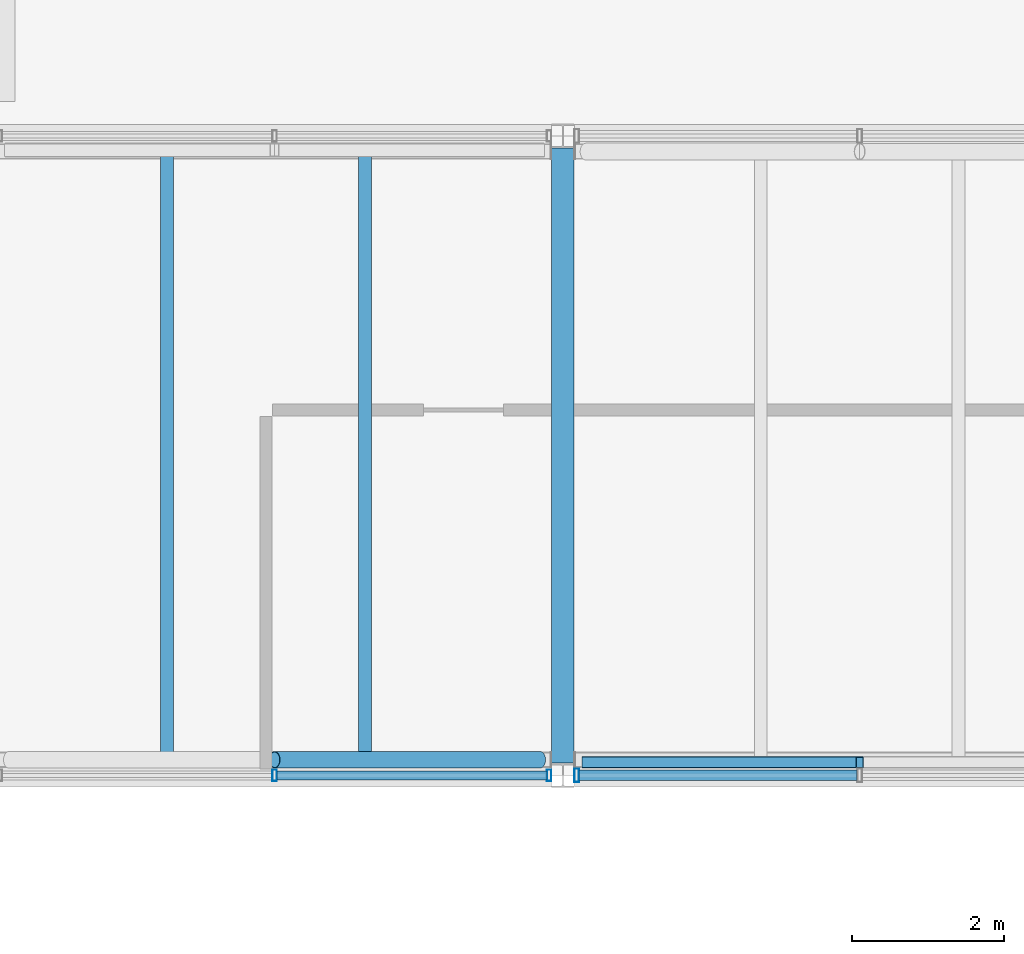
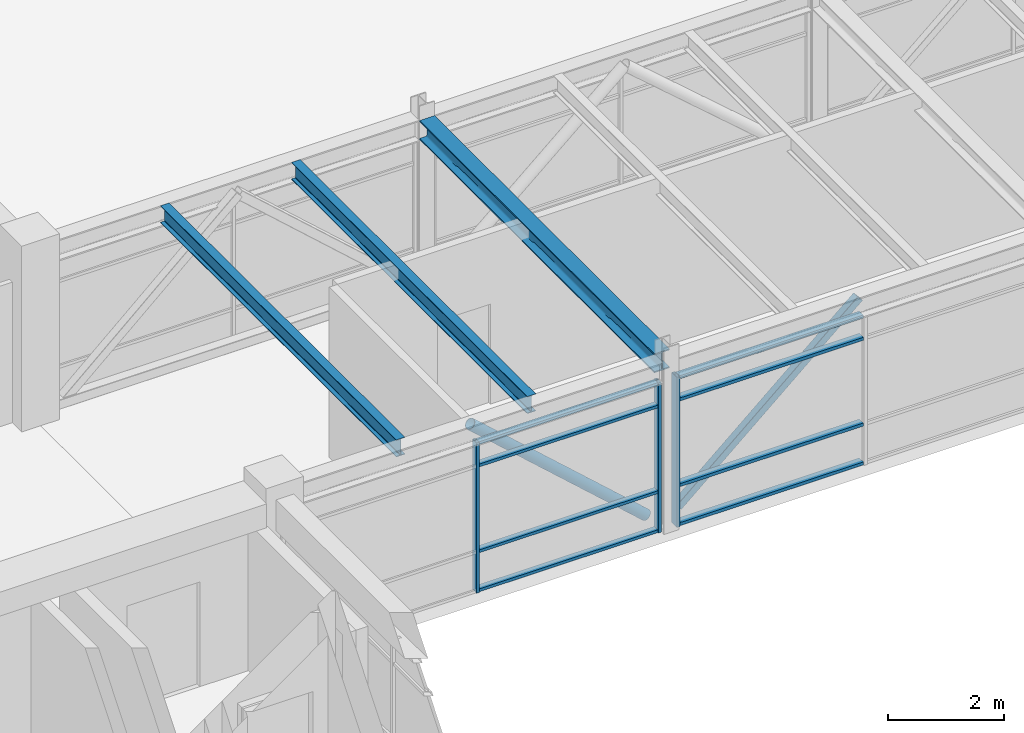
# One storey, part 11 of 72: 13 members, 3 beams, 2 elements without a shape of their own.
"""IFC4 building model written with IfcOpenShell, lengths in metres."""

from ifc_helpers import new_model, si_unit, direction, frame, origin, origin_2d, place, context, subcontext, project, spatial, hollow_rectangle, hollow_circle, i_section, extrude, material, material_profile, profile_set, type_object, element, aggregate, save


model = new_model("IFC4")

# Units and contexts
model_context = context("Model", 3, precision=1e-05, world=origin(), true_north=direction((0.0, 1.0)))
body_context = subcontext(model_context, "Body", "Model", "MODEL_VIEW")
ifc_project = project(units=[si_unit("LENGTHUNIT", "METRE"), si_unit("AREAUNIT", "SQUARE_METRE"), si_unit("VOLUMEUNIT", "CUBIC_METRE"), si_unit("PLANEANGLEUNIT", "RADIAN"), si_unit("MASSUNIT", "GRAM", prefix="KILO"), si_unit("THERMODYNAMICTEMPERATUREUNIT", "KELVIN"), si_unit("POWERUNIT", "WATT")], contexts=[model_context])

# Site, building, storey
site_placement = place(None, origin())
site = spatial("IfcSite", under=ifc_project, at=site_placement, CompositionType="ELEMENT")
building_placement = place(site_placement, origin())
building = spatial("IfcBuilding", under=site, at=building_placement, Name="Srebrne Nadtorze General Hospital", CompositionType="ELEMENT")
storey_placement = place(building_placement, frame((0.0, 0.0, 22.199951171875)))
storey = spatial("IfcBuildingStorey", under=building, at=storey_placement, Name="L05", CompositionType="ELEMENT", Elevation=22.199951171875)

# Beam
ifc_material_1 = material(Name="Steel S355J2", Category="steel")
ifc_material_profile_1 = material_profile(ifc_material_1, i_section(OverallWidth=0.300048828125, OverallDepth=0.39990234375, WebThickness=0.013427734375, FlangeThickness=0.02392578125, FilletRadius=0.027099609375, at=origin_2d()), Name="HEB-400")
ifc_profile_set_1 = profile_set([ifc_material_profile_1], Name="Steel S355J2")
beam_type_1 = type_object("IfcBeamType", Name="Courtyard bridge girder HEB 400", PredefinedType="BEAM", material=ifc_profile_set_1)
beam_placement = place(storey_placement, frame((62.39990234375, 50.56005859375, 3.400146484375), z_axis=(0.0, 1.0, 0.0), x_axis=(-1.0, 0.0, 0.0)))
element("IfcBeam", 1, at=beam_placement, inside=storey, type_object=beam_type_1, Name="Beam BM-L05-Y-1088", PredefinedType="BEAM", context=body_context, shape_type="SweptSolid", body=[
    extrude(i_section(OverallWidth=0.300048828125, OverallDepth=0.39990234375, WebThickness=0.013427734375, FlangeThickness=0.02392578125, FilletRadius=0.027099609375, at=origin_2d()), origin(), (0.0, 0.0, 1.0), 8.079833984375),
])

# Curtain wall, members
ifc_material_2 = material(Name="Anodised Aluminium", Category="aluminium")
curtain_wall_type_1 = type_object("IfcCurtainWallType", Name="Bridge curtain wall 7275x3150", PredefinedType="NOTDEFINED", material=ifc_material_2)
curtain_wall_1_placement = place(storey_placement, origin())
curtain_wall_1 = element("IfcCurtainWall", 2, at=curtain_wall_1_placement, inside=storey, type_object=curtain_wall_type_1, Name="Curtain wall CW-118", PredefinedType="NOTDEFINED")
ifc_material_3 = material(Name="Anodised Aluminium", Category="aluminium")
ifc_material_profile_2 = material_profile(ifc_material_3, hollow_rectangle(XDim=0.06005859375, YDim=0.14990234375, WallThickness=0.00390625, at=origin_2d()), Name="AL-MUL-60x150")
ifc_profile_set_2 = profile_set([ifc_material_profile_2], Name="Anodised Aluminium")
member_type_1 = type_object("IfcMemberType", Name="Curtain mullion 60x150", PredefinedType="MULLION", material=ifc_profile_set_2)
member_1_placement = place(storey_placement, frame((58.612548828125, 50.39990234375, 0.0), z_axis=(0.0, 0.0, 1.0), x_axis=(1.0, 0.0, 0.0)))
member_1 = element("IfcMember", 3, at=member_1_placement, type_object=member_type_1, Name="CW-118 mullion 2", PredefinedType="MULLION", context=body_context, shape_type="SweptSolid", body=[
    extrude(hollow_rectangle(XDim=0.06005859375, YDim=0.14990234375, WallThickness=0.00390625, at=origin_2d()), origin(), (0.0, 0.0, 1.0), 3.150146484375),
])
member_2_placement = place(storey_placement, frame((62.219970703125, 50.39990234375, 0.0), z_axis=(0.0, 0.0, 1.0), x_axis=(1.0, 0.0, 0.0)))
member_2 = element("IfcMember", 4, at=member_2_placement, type_object=member_type_1, Name="CW-118 mullion 3", PredefinedType="MULLION", context=body_context, shape_type="SweptSolid", body=[
    extrude(hollow_rectangle(XDim=0.06005859375, YDim=0.14990234375, WallThickness=0.00390625, at=origin_2d()), origin(), (0.0, 0.0, 1.0), 3.150146484375),
])

# Curtain wall, member
ifc_material_4 = material(Name="Anodised Aluminium", Category="aluminium")
curtain_wall_type_2 = type_object("IfcCurtainWallType", Name="Bridge curtain wall 7500x3150", PredefinedType="NOTDEFINED", material=ifc_material_4)
curtain_wall_2_placement = place(storey_placement, origin())
curtain_wall_2 = element("IfcCurtainWall", 5, at=curtain_wall_2_placement, inside=storey, type_object=curtain_wall_type_2, Name="Curtain wall CW-119", PredefinedType="NOTDEFINED")
ifc_material_5 = material(Name="Anodised Aluminium", Category="aluminium")
ifc_material_profile_3 = material_profile(ifc_material_5, hollow_rectangle(XDim=0.06494140625, YDim=0.179931640625, WallThickness=0.00390625, at=origin_2d()), Name="AL-MUL-65x180")
ifc_profile_set_3 = profile_set([ifc_material_profile_3], Name="Anodised Aluminium")
member_type_2 = type_object("IfcMemberType", Name="Curtain mullion 65x180", PredefinedType="MULLION", material=ifc_profile_set_3)
member_3_placement = place(storey_placement, frame((62.58251953125, 50.39990234375, 0.0), z_axis=(0.0, 0.0, 1.0), x_axis=(1.0, 0.0, 0.0)))
member_3 = element("IfcMember", 6, at=member_3_placement, type_object=member_type_2, Name="CW-119 mullion 1", PredefinedType="MULLION", context=body_context, shape_type="SweptSolid", body=[
    extrude(hollow_rectangle(XDim=0.06494140625, YDim=0.179931640625, WallThickness=0.00390625, at=origin_2d()), origin(), (0.0, 0.0, 1.0), 3.150146484375),
])

# Member
ifc_material_6 = material(Name="Anodised Aluminium", Category="aluminium")
ifc_material_profile_4 = material_profile(ifc_material_6, hollow_rectangle(XDim=0.06005859375, YDim=0.1201171875, WallThickness=0.00390625, at=origin_2d()), Name="AL-TRN-60x120")
ifc_profile_set_4 = profile_set([ifc_material_profile_4], Name="Anodised Aluminium")
member_type_3 = type_object("IfcMemberType", Name="Curtain transom 60x120", PredefinedType="USERDEFINED", material=ifc_profile_set_4)
member_4_placement = place(storey_placement, frame((58.642578125, 50.39990234375, 0.030029296875), z_axis=(1.0, 0.0, 0.0), x_axis=(0.0, 0.0, 1.0)))
member_4 = element("IfcMember", 7, at=member_4_placement, type_object=member_type_3, Name="CW-118 transom 2.1", ObjectType="TRANSOM", PredefinedType="USERDEFINED", context=body_context, shape_type="SweptSolid", body=[
    extrude(hollow_rectangle(XDim=0.06005859375, YDim=0.1201171875, WallThickness=0.00390625, at=origin_2d()), origin(), (0.0, 0.0, 1.0), 3.54736328125),
])

member_5_placement = place(storey_placement, frame((58.642578125, 50.39990234375, 0.85009765625), z_axis=(1.0, 0.0, 0.0), x_axis=(0.0, 0.0, 1.0)))
member_5 = element("IfcMember", 8, at=member_5_placement, type_object=member_type_3, Name="CW-118 transom 2.2", ObjectType="TRANSOM", PredefinedType="USERDEFINED", context=body_context, shape_type="SweptSolid", body=[
    extrude(hollow_rectangle(XDim=0.06005859375, YDim=0.1201171875, WallThickness=0.00390625, at=origin_2d()), origin(), (0.0, 0.0, 1.0), 3.54736328125),
])

member_6_placement = place(storey_placement, frame((58.642578125, 50.39990234375, 2.650146484375), z_axis=(1.0, 0.0, 0.0), x_axis=(0.0, 0.0, 1.0)))
member_6 = element("IfcMember", 9, at=member_6_placement, type_object=member_type_3, Name="CW-118 transom 2.3", ObjectType="TRANSOM", PredefinedType="USERDEFINED", context=body_context, shape_type="SweptSolid", body=[
    extrude(hollow_rectangle(XDim=0.06005859375, YDim=0.1201171875, WallThickness=0.00390625, at=origin_2d()), origin(), (0.0, 0.0, 1.0), 3.54736328125),
])

member_7_placement = place(storey_placement, frame((58.642578125, 50.39990234375, 3.1201171875), z_axis=(1.0, 0.0, 0.0), x_axis=(0.0, 0.0, 1.0)))
member_7 = element("IfcMember", 10, at=member_7_placement, type_object=member_type_3, Name="CW-118 transom 2.4", ObjectType="TRANSOM", PredefinedType="USERDEFINED", context=body_context, shape_type="SweptSolid", body=[
    extrude(hollow_rectangle(XDim=0.06005859375, YDim=0.1201171875, WallThickness=0.00390625, at=origin_2d()), origin(), (0.0, 0.0, 1.0), 3.54736328125),
])

aggregate(curtain_wall_1, [member_1, member_2, member_4, member_5, member_6, member_7])

ifc_material_7 = material(Name="Anodised Aluminium", Category="aluminium")
ifc_material_profile_5 = material_profile(ifc_material_7, hollow_rectangle(XDim=0.06494140625, YDim=0.139892578125, WallThickness=0.00390625, at=origin_2d()), Name="AL-TRN-65x140")
ifc_profile_set_5 = profile_set([ifc_material_profile_5], Name="Anodised Aluminium")
member_type_4 = type_object("IfcMemberType", Name="Curtain transom 65x140", PredefinedType="USERDEFINED", material=ifc_profile_set_5)
member_8_placement = place(storey_placement, frame((62.614990234375, 50.39990234375, 0.032470703125), z_axis=(1.0, 0.0, 0.0), x_axis=(0.0, 0.0, 1.0)))
member_8 = element("IfcMember", 11, at=member_8_placement, type_object=member_type_4, Name="CW-119 transom 1.1", ObjectType="TRANSOM", PredefinedType="USERDEFINED", context=body_context, shape_type="SweptSolid", body=[
    extrude(hollow_rectangle(XDim=0.06494140625, YDim=0.139892578125, WallThickness=0.00390625, at=origin_2d()), origin(), (0.0, 0.0, 1.0), 3.652587890625),
])

member_9_placement = place(storey_placement, frame((62.614990234375, 50.39990234375, 0.85009765625), z_axis=(1.0, 0.0, 0.0), x_axis=(0.0, 0.0, 1.0)))
member_9 = element("IfcMember", 12, at=member_9_placement, type_object=member_type_4, Name="CW-119 transom 1.2", ObjectType="TRANSOM", PredefinedType="USERDEFINED", context=body_context, shape_type="SweptSolid", body=[
    extrude(hollow_rectangle(XDim=0.06494140625, YDim=0.139892578125, WallThickness=0.00390625, at=origin_2d()), origin(), (0.0, 0.0, 1.0), 3.652587890625),
])

member_10_placement = place(storey_placement, frame((62.614990234375, 50.39990234375, 2.650146484375), z_axis=(1.0, 0.0, 0.0), x_axis=(0.0, 0.0, 1.0)))
member_10 = element("IfcMember", 13, at=member_10_placement, type_object=member_type_4, Name="CW-119 transom 1.3", ObjectType="TRANSOM", PredefinedType="USERDEFINED", context=body_context, shape_type="SweptSolid", body=[
    extrude(hollow_rectangle(XDim=0.06494140625, YDim=0.139892578125, WallThickness=0.00390625, at=origin_2d()), origin(), (0.0, 0.0, 1.0), 3.652587890625),
])

member_11_placement = place(storey_placement, frame((62.614990234375, 50.39990234375, 3.117431640625), z_axis=(1.0, 0.0, 0.0), x_axis=(0.0, 0.0, 1.0)))
member_11 = element("IfcMember", 14, at=member_11_placement, type_object=member_type_4, Name="CW-119 transom 1.4", ObjectType="TRANSOM", PredefinedType="USERDEFINED", context=body_context, shape_type="SweptSolid", body=[
    extrude(hollow_rectangle(XDim=0.06494140625, YDim=0.139892578125, WallThickness=0.00390625, at=origin_2d()), origin(), (0.0, 0.0, 1.0), 3.652587890625),
])

aggregate(curtain_wall_2, [member_3, member_8, member_9, member_10, member_11])

# Beams
ifc_material_8 = material(Name="Steel S355J2", Category="steel")
ifc_material_profile_6 = material_profile(ifc_material_8, i_section(OverallWidth=0.169921875, OverallDepth=0.360107421875, WebThickness=0.008056640625, FlangeThickness=0.0126953125, FilletRadius=0.01806640625, at=origin_2d()), Name="IPE-360")
ifc_profile_set_6 = profile_set([ifc_material_profile_6], Name="Steel S355J2")
beam_type_2 = type_object("IfcBeamType", Name="Deck joist IPE 360", PredefinedType="JOIST", material=ifc_profile_set_6)
for number, where, z_axis, x_axis, name in (
    (15, (57.199951171875, 50.544921875, 3.420166015625), (0.0, 1.0, 0.0), (-1.0, 0.0, 0.0), "Clinical courtyard bridge deck joist 152"),
    (16, (59.800048828125, 50.544921875, 3.420166015625), (0.0, 1.0, 0.0), (-1.0, 0.0, 0.0), "Clinical courtyard bridge deck joist 153"),
):
    element("IfcBeam", number, at=place(storey_placement, frame(where, z_axis=z_axis, x_axis=x_axis)), inside=storey, type_object=beam_type_2, Name=name, PredefinedType="JOIST", context=body_context, shape_type="SweptSolid", body=[
        extrude(i_section(OverallWidth=0.169921875, OverallDepth=0.360107421875, WebThickness=0.008056640625, FlangeThickness=0.0126953125, FilletRadius=0.01806640625, at=origin_2d()), origin(), (0.0, 0.0, 1.0), 8.110107421875),
    ])

# Members
ifc_material_9 = material(Name="Steel S355J2", Category="steel")
ifc_material_profile_7 = material_profile(ifc_material_9, hollow_circle(Radius=0.109619140625, WallThickness=0.008056640625, at=origin_2d()), Name="CHS-219.1x8")
ifc_profile_set_7 = profile_set([ifc_material_profile_7], Name="Steel S355J2")
member_type_5 = type_object("IfcMemberType", Name="Diagonal brace CHS 219.1x8", PredefinedType="BRACE", material=ifc_profile_set_7)
member_12_placement = place(storey_placement, frame((62.10009765625, 50.6044921875, 0.25), z_axis=(-0.744213065874, 0.0, 0.667942297345), x_axis=(0.0, -1.0, 0.0)))
element("IfcMember", 17, at=member_12_placement, inside=storey, type_object=member_type_5, Name="Clinical courtyard bridge brace 2", PredefinedType="BRACE", context=body_context, shape_type="SweptSolid", body=[
    extrude(hollow_circle(Radius=0.109619140625, WallThickness=0.008056640625, at=origin_2d()), origin(), (0.0, 0.0, 1.0), 4.686279296875),
])
ifc_material_10 = material(Name="Steel S355J2", Category="steel")
ifc_material_profile_8 = material_profile(ifc_material_10, hollow_rectangle(XDim=0.14990234375, YDim=0.14990234375, WallThickness=0.00634765625, InnerFilletRadius=0.006103515625, OuterFilletRadius=0.009033203125, at=origin_2d()), Name="SHS-150x150x6.3")
ifc_profile_set_8 = profile_set([ifc_material_profile_8], Name="Steel S355J2")
member_type_6 = type_object("IfcMemberType", Name="Wind brace SHS 150x150x6.3", PredefinedType="BRACE", material=ifc_profile_set_8)
member_13_placement = place(storey_placement, frame((62.699951171875, 50.570068359375, 0.25), z_axis=(0.754646285498, 0.0, 0.656131834149), x_axis=(0.0, 1.0, 0.0)))
element("IfcMember", 18, at=member_13_placement, inside=storey, type_object=member_type_6, Name="Clinical courtyard bridge brace 3", PredefinedType="BRACE", context=body_context, shape_type="SweptSolid", body=[
    extrude(hollow_rectangle(XDim=0.14990234375, YDim=0.14990234375, WallThickness=0.00634765625, InnerFilletRadius=0.006103515625, OuterFilletRadius=0.009033203125, at=origin_2d()), origin(), (0.0, 0.0, 1.0), 4.7705078125),
])

save(model, "model.ifc")
